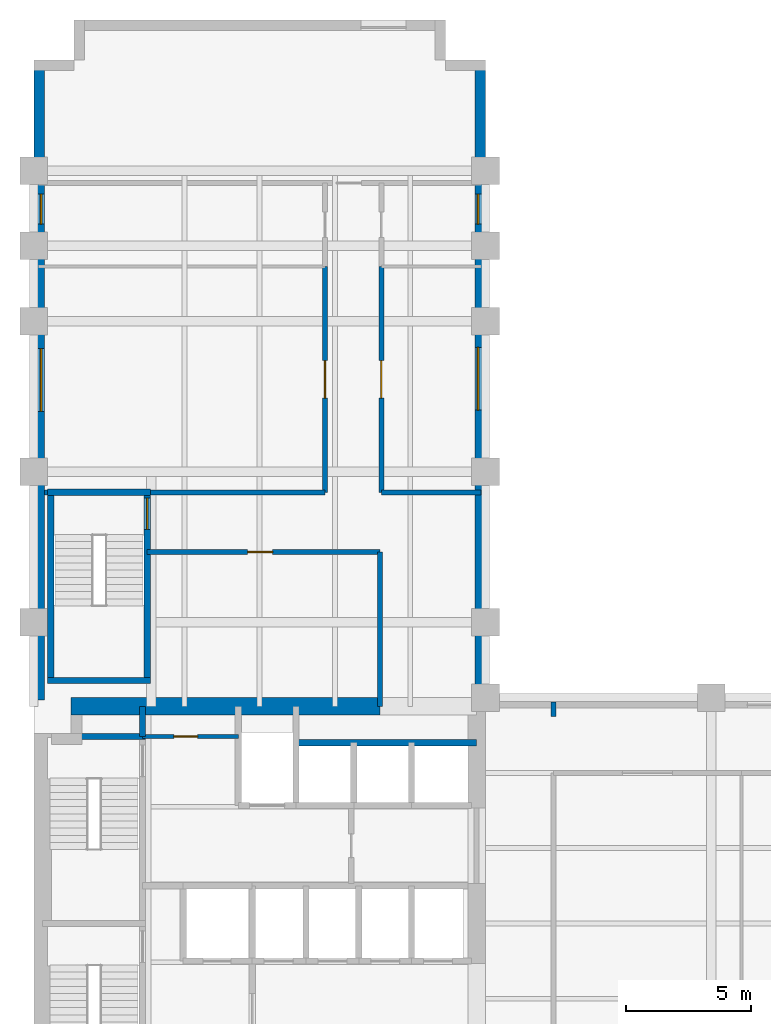
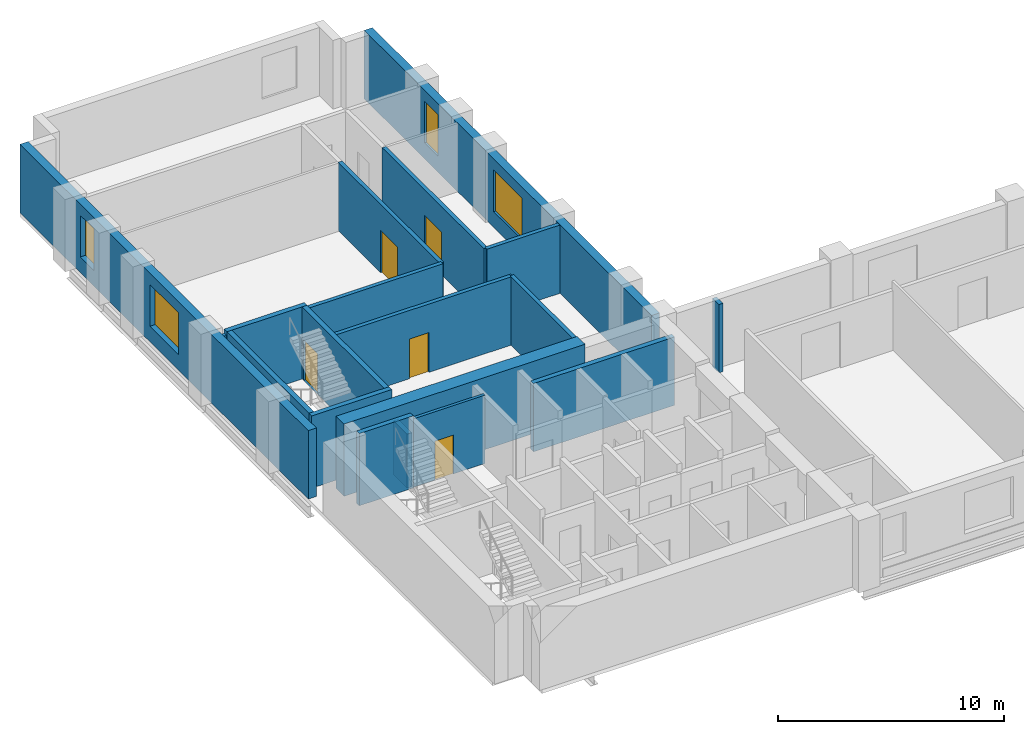
# One storey, part 4 of 7: 19 walls, 5 doors, 4 windows, 9 openings.
"""IFC4 building model written with IfcOpenShell, lengths in metres."""

from ifc_helpers import new_model, si_unit, direction, frame, frame_2d, origin, place, context, subcontext, project, spatial, rectangle, extrude, material, layer, layer_set, type_object, element, fill, save


model = new_model("IFC4")

# Units and contexts
model_context = context("Model", 3, precision=1e-05, world=origin(), true_north=direction((0.0, 1.0)))
body_context = subcontext(model_context, "Body", "Model", "MODEL_VIEW")
ifc_project = project(units=[si_unit("LENGTHUNIT", "METRE"), si_unit("AREAUNIT", "SQUARE_METRE"), si_unit("VOLUMEUNIT", "CUBIC_METRE"), si_unit("PLANEANGLEUNIT", "RADIAN"), si_unit("MASSUNIT", "GRAM", prefix="KILO")], contexts=[model_context])

# Site, building, storey
site_placement = place(None, origin())
site = spatial("IfcSite", under=ifc_project, at=site_placement, CompositionType="ELEMENT")
building_placement = place(site_placement, origin())
building = spatial("IfcBuilding", under=site, at=building_placement, Name="Mawjdan Bourse Tower", CompositionType="ELEMENT")
storey_placement = place(building_placement, frame((0.0, 0.0, 105.0)))
storey = spatial("IfcBuildingStorey", under=building, at=storey_placement, Name="L24", CompositionType="ELEMENT", Elevation=105.0)

# Wall, openings, windows
ifc_material_1 = material(Name="Brick Masonry Buff", Category="masonry")
ifc_layer_1 = layer(ifc_material_1, 0.419921875)
ifc_layer_set_1 = layer_set([ifc_layer_1], Name="Brick Masonry Buff")
wall_type_1 = type_object("IfcWallType", Name="WL-BRK-BUFF-420", PredefinedType="STANDARD", material=ifc_layer_set_1)
wall_1_placement = place(storey_placement, frame((23.7900390625, 21.0, 0.0), z_axis=(0.0, 0.0, 1.0), x_axis=(0.0, 1.0, 0.0)))
wall_1 = element("IfcWall", 1, at=wall_1_placement, inside=storey, type_object=wall_type_1, Name="L24 Exterior Brick Wall 8", PredefinedType="STANDARD", context=body_context, shape_type="SweptSolid", body=[
    extrude(rectangle(XDim=25.39990234375, YDim=0.419921875, at=frame_2d((12.699951171875, 0.0))), origin(), (0.0, 0.0, 1.0), 3.699951171875),
])
opening_1_placement = place(wall_1_placement, frame((11.449951171875, 0.0, 0.85009765625)))
opening_1 = element("IfcOpeningElement", 2, at=opening_1_placement, cuts=wall_1, Name="Opening W-L24-06", PredefinedType="OPENING", context=body_context, shape_type="SweptSolid", body=[
    extrude(rectangle(XDim=2.5, YDim=2.25, at=frame_2d((1.25, 1.125))), frame((0.0, 0.219970703125, 0.0), z_axis=(0.0, -1.0, 0.0), x_axis=(1.0, 0.0, 0.0)), (0.0, 0.0, 1.0), 0.43994140625),
])
opening_2_placement = place(wall_1_placement, frame((18.8662109375, 0.0, 0.85009765625)))
opening_2 = element("IfcOpeningElement", 3, at=opening_2_placement, cuts=wall_1, Name="Opening W-L24-14", PredefinedType="OPENING", context=body_context, shape_type="SweptSolid", body=[
    extrude(rectangle(XDim=1.199951171875, YDim=2.25, at=frame_2d((0.60009765625, 1.125))), frame((0.0, 0.219970703125, 0.0), z_axis=(0.0, -1.0, 0.0), x_axis=(1.0, 0.0, 0.0)), (0.0, 0.0, 1.0), 0.43994140625),
])
ifc_material_2 = material(Name="Solar-Control Clear Double Glazing", Category="glass")
window_type_1 = type_object("IfcWindowType", Name="WN-Z2-1200", PartitioningType="SINGLE_PANEL", PredefinedType="WINDOW", material=ifc_material_2)
window_1_placement = place(opening_2_placement, origin())
window_1 = element("IfcWindow", 4, at=window_1_placement, inside=storey, type_object=window_type_1, Name="L24 Deep-Set Masonry Window W-L24-14", OverallHeight=2.25, OverallWidth=1.199951171875, PartitioningType="SINGLE_PANEL", PredefinedType="WINDOW", context=body_context, shape_type="SweptSolid", body=[
    extrude(rectangle(XDim=1.199951171875, YDim=2.25, at=frame_2d((0.60009765625, 1.125))), frame((0.0, 0.110107421875, 0.0), z_axis=(0.0, -1.0, 0.0), x_axis=(1.0, 0.0, 0.0)), (0.0, 0.0, 1.0), 0.06005859375),
])
fill(opening_2, window_1)
window_type_2 = type_object("IfcWindowType", Name="WN-Z2-2500", PartitioningType="SINGLE_PANEL", PredefinedType="WINDOW", material=ifc_material_2)
window_2_placement = place(opening_1_placement, origin())
window_2 = element("IfcWindow", 5, at=window_2_placement, inside=storey, type_object=window_type_2, Name="L24 Deep-Set Masonry Window W-L24-06", OverallHeight=2.25, OverallWidth=2.5, PartitioningType="SINGLE_PANEL", PredefinedType="WINDOW", context=body_context, shape_type="SweptSolid", body=[
    extrude(rectangle(XDim=2.5, YDim=2.25, at=frame_2d((1.25, 1.125))), frame((0.0, 0.110107421875, 0.0), z_axis=(0.0, -1.0, 0.0), x_axis=(1.0, 0.0, 0.0)), (0.0, 0.0, 1.0), 0.06005859375),
])
fill(opening_1, window_2)

wall_2_placement = place(storey_placement, frame((6.2099609375, 46.39990234375, 0.0), z_axis=(0.0, 0.0, 1.0), x_axis=(0.0, -1.0, 0.0)))
wall_2 = element("IfcWall", 6, at=wall_2_placement, inside=storey, type_object=wall_type_1, Name="L24 Exterior Brick Wall 14", PredefinedType="STANDARD", context=body_context, shape_type="SweptSolid", body=[
    extrude(rectangle(XDim=25.5, YDim=0.419921875, at=frame_2d((12.75, 0.0))), origin(), (0.0, 0.0, 1.0), 3.699951171875),
])
opening_3_placement = place(wall_2_placement, frame((11.5, 0.0, 0.85009765625)))
opening_3 = element("IfcOpeningElement", 7, at=opening_3_placement, cuts=wall_2, Name="Opening W-L24-08", PredefinedType="OPENING", context=body_context, shape_type="SweptSolid", body=[
    extrude(rectangle(XDim=2.5, YDim=2.25, at=frame_2d((1.25, 1.125))), frame((0.0, 0.219970703125, 0.0), z_axis=(0.0, -1.0, 0.0), x_axis=(1.0, 0.0, 0.0)), (0.0, 0.0, 1.0), 0.43994140625),
])
opening_4_placement = place(wall_2_placement, frame((5.336181640625, 0.0, 0.85009765625)))
opening_4 = element("IfcOpeningElement", 8, at=opening_4_placement, cuts=wall_2, Name="Opening W-L24-13", PredefinedType="OPENING", context=body_context, shape_type="SweptSolid", body=[
    extrude(rectangle(XDim=1.199951171875, YDim=2.25, at=frame_2d((0.60009765625, 1.125))), frame((0.0, 0.219970703125, 0.0), z_axis=(0.0, -1.0, 0.0), x_axis=(1.0, 0.0, 0.0)), (0.0, 0.0, 1.0), 0.43994140625),
])
window_3_placement = place(opening_4_placement, origin())
window_3 = element("IfcWindow", 9, at=window_3_placement, inside=storey, type_object=window_type_1, Name="L24 Deep-Set Masonry Window W-L24-13", OverallHeight=2.25, OverallWidth=1.199951171875, PartitioningType="SINGLE_PANEL", PredefinedType="WINDOW", context=body_context, shape_type="SweptSolid", body=[
    extrude(rectangle(XDim=1.199951171875, YDim=2.25, at=frame_2d((0.60009765625, 1.125))), frame((0.0, 0.110107421875, 0.0), z_axis=(0.0, -1.0, 0.0), x_axis=(1.0, 0.0, 0.0)), (0.0, 0.0, 1.0), 0.06005859375),
])
fill(opening_4, window_3)
window_4_placement = place(opening_3_placement, origin())
window_4 = element("IfcWindow", 10, at=window_4_placement, inside=storey, type_object=window_type_2, Name="L24 Deep-Set Masonry Window W-L24-08", OverallHeight=2.25, OverallWidth=2.5, PartitioningType="SINGLE_PANEL", PredefinedType="WINDOW", context=body_context, shape_type="SweptSolid", body=[
    extrude(rectangle(XDim=2.5, YDim=2.25, at=frame_2d((1.25, 1.125))), frame((0.0, 0.110107421875, 0.0), z_axis=(0.0, -1.0, 0.0), x_axis=(1.0, 0.0, 0.0)), (0.0, 0.0, 1.0), 0.06005859375),
])
fill(opening_3, window_4)

# Wall
ifc_material_3 = material(Name="Gypsum Fireboard Assembly")
ifc_layer_2 = layer(ifc_material_3, 0.199951171875)
ifc_layer_set_2 = layer_set([ifc_layer_2], Name="Gypsum Fireboard Assembly")
wall_type_2 = type_object("IfcWallType", Name="WL-CMP-200", PredefinedType="PARTITIONING", material=ifc_layer_set_2)
wall_3_placement = place(storey_placement, frame((26.699951171875, 20.25, 0.0), z_axis=(0.0, 0.0, 1.0), x_axis=(0.0, 1.0, 0.0)))
element("IfcWall", 11, at=wall_3_placement, inside=storey, type_object=wall_type_2, Name="L24 Vestibule North East Wall", PredefinedType="PARTITIONING", context=body_context, shape_type="SweptSolid", body=[
    extrude(rectangle(XDim=0.570068359375, YDim=0.199951171875, at=frame_2d((0.28515625, 0.0))), origin(), (0.0, 0.0, 1.0), 3.68994140625),
])

# Wall, opening, door
wall_4_placement = place(storey_placement, frame((10.52001953125, 26.800048828125, 0.0), z_axis=(0.0, 0.0, 1.0), x_axis=(1.0, 0.0, 0.0)))
wall_4 = element("IfcWall", 12, at=wall_4_placement, inside=storey, type_object=wall_type_2, Name="L24 North Throat North Wall", PredefinedType="PARTITIONING", context=body_context, shape_type="SweptSolid", body=[
    extrude(rectangle(XDim=9.280029296875, YDim=0.199951171875, at=frame_2d((4.64013671875, 0.0))), origin(), (0.0, 0.0, 1.0), 3.68994140625),
])
opening_5_placement = place(wall_4_placement, frame((4.0, 0.0, 0.0)))
opening_5 = element("IfcOpeningElement", 13, at=opening_5_placement, cuts=wall_4, Name="Opening D-L24-26", PredefinedType="OPENING", context=body_context, shape_type="SweptSolid", body=[
    extrude(rectangle(XDim=1.0, YDim=2.14990234375, at=frame_2d((0.5, 1.074951171875))), frame((0.0, 0.10986328125, 0.0), z_axis=(0.0, -1.0, 0.0), x_axis=(1.0, 0.0, 0.0)), (0.0, 0.0, 1.0), 0.219970703125),
])
ifc_material_4 = material(Name="Hardwood Acoustic Leaf", Category="wood")
door_type_1 = type_object("IfcDoorType", Name="DR-OFC-1000", OperationType="NOTDEFINED", PredefinedType="DOOR", material=ifc_material_4)
door_1_placement = place(opening_5_placement, origin())
door_1 = element("IfcDoor", 14, at=door_1_placement, inside=storey, type_object=door_type_1, Name="L24 North Throat Suite Door D-L24-26", OperationType="SINGLE_SWING_LEFT", OverallHeight=2.14990234375, OverallWidth=1.0, PredefinedType="DOOR", context=body_context, shape_type="SweptSolid", body=[
    extrude(rectangle(XDim=1.0, YDim=2.14990234375, at=frame_2d((0.5, 1.074951171875))), frame((0.0, 0.02490234375, 0.0), z_axis=(0.0, -1.0, 0.0), x_axis=(1.0, 0.0, 0.0)), (0.0, 0.0, 1.0), 0.050048828125),
])
fill(opening_5, door_1)

# Walls
wall_5_placement = place(storey_placement, frame((19.800048828125, 20.64990234375, 0.0), z_axis=(0.0, 0.0, 1.0), x_axis=(0.0, 1.0, 0.0)))
element("IfcWall", 15, at=wall_5_placement, inside=storey, type_object=wall_type_2, Name="L24 North Throat East Wall", PredefinedType="PARTITIONING", context=body_context, shape_type="SweptSolid", body=[
    extrude(rectangle(XDim=6.150146484375, YDim=0.199951171875, at=frame_2d((3.0751953125, 0.0))), origin(), (0.0, 0.0, 1.0), 3.68994140625),
])
wall_6_placement = place(storey_placement, frame((6.419921875, 29.179931640625, 0.0), z_axis=(0.0, 0.0, 1.0), x_axis=(1.0, 0.0, 0.0)))
element("IfcWall", 16, at=wall_6_placement, inside=storey, type_object=wall_type_2, Name="L24 North West Band ST3 West Return", PredefinedType="PARTITIONING", context=body_context, shape_type="SweptSolid", body=[
    extrude(rectangle(XDim=0.135009765625, YDim=0.199951171875, at=frame_2d((0.0673828125, 0.0))), origin(), (0.0, 0.0, 1.0), 3.68994140625),
])
wall_7_placement = place(storey_placement, frame((10.6298828125, 29.179931640625, 0.0), z_axis=(0.0, 0.0, 1.0), x_axis=(1.0, 0.0, 0.0)))
element("IfcWall", 17, at=wall_7_placement, inside=storey, type_object=wall_type_2, Name="L24 North West Band South Wall", PredefinedType="PARTITIONING", context=body_context, shape_type="SweptSolid", body=[
    extrude(rectangle(XDim=6.97021484375, YDim=0.199951171875, at=frame_2d((3.485107421875, 0.0))), origin(), (0.0, 0.0, 1.0), 3.68994140625),
])
wall_8_placement = place(storey_placement, frame((19.85009765625, 29.179931640625, 0.0), z_axis=(0.0, 0.0, 1.0), x_axis=(1.0, 0.0, 0.0)))
element("IfcWall", 18, at=wall_8_placement, inside=storey, type_object=wall_type_2, Name="L24 North East Band South Wall", PredefinedType="PARTITIONING", context=body_context, shape_type="SweptSolid", body=[
    extrude(rectangle(XDim=3.969970703125, YDim=0.199951171875, at=frame_2d((1.98486328125, 0.0))), origin(), (0.0, 0.0, 1.0), 3.68994140625),
])

# Wall, opening, door
wall_9_placement = place(storey_placement, frame((17.60009765625, 29.179931640625, 0.0), z_axis=(0.0, 0.0, 1.0), x_axis=(0.0, 1.0, 0.0)))
wall_9 = element("IfcWall", 19, at=wall_9_placement, inside=storey, type_object=wall_type_2, Name="L24 Conference Room Corridor Wall", PredefinedType="PARTITIONING", context=body_context, shape_type="SweptSolid", body=[
    extrude(rectangle(XDim=9.0, YDim=0.199951171875, at=frame_2d((4.5, 0.0))), origin(), (0.0, 0.0, 1.0), 3.68994140625),
])
opening_6_placement = place(wall_9_placement, frame((3.75, 0.0, 0.0)))
opening_6 = element("IfcOpeningElement", 20, at=opening_6_placement, cuts=wall_9, Name="Opening D-L24-27", PredefinedType="OPENING", context=body_context, shape_type="SweptSolid", body=[
    extrude(rectangle(XDim=1.5, YDim=2.300048828125, at=frame_2d((0.75, 1.14990234375))), frame((0.0, 0.10986328125, 0.0), z_axis=(0.0, -1.0, 0.0), x_axis=(1.0, 0.0, 0.0)), (0.0, 0.0, 1.0), 0.219970703125),
])
ifc_material_5 = material(Name="Acoustic Glazed Timber", Category="wood")
door_type_2 = type_object("IfcDoorType", Name="DR-CNF-1500", OperationType="DOUBLE_DOOR_SINGLE_SWING", PredefinedType="DOOR", material=ifc_material_5)
door_2_placement = place(opening_6_placement, origin())
door_2 = element("IfcDoor", 21, at=door_2_placement, inside=storey, type_object=door_type_2, Name="L24 Conference Room Door D-L24-27", OperationType="DOUBLE_DOOR_SINGLE_SWING", OverallHeight=2.300048828125, OverallWidth=1.5, PredefinedType="DOOR", context=body_context, shape_type="SweptSolid", body=[
    extrude(rectangle(XDim=1.5, YDim=2.300048828125, at=frame_2d((0.75, 1.14990234375))), frame((0.0, 0.02490234375, 0.0), z_axis=(0.0, -1.0, 0.0), x_axis=(1.0, 0.0, 0.0)), (0.0, 0.0, 1.0), 0.050048828125),
])
fill(opening_6, door_2)

wall_10_placement = place(storey_placement, frame((19.85009765625, 29.179931640625, 0.0), z_axis=(0.0, 0.0, 1.0), x_axis=(0.0, 1.0, 0.0)))
wall_10 = element("IfcWall", 22, at=wall_10_placement, inside=storey, type_object=wall_type_2, Name="L24 Private Banking Suite Corridor Wall", PredefinedType="PARTITIONING", context=body_context, shape_type="SweptSolid", body=[
    extrude(rectangle(XDim=9.0, YDim=0.199951171875, at=frame_2d((4.5, 0.0))), origin(), (0.0, 0.0, 1.0), 3.68994140625),
])
opening_7_placement = place(wall_10_placement, frame((3.75, 0.0, 0.0)))
opening_7 = element("IfcOpeningElement", 23, at=opening_7_placement, cuts=wall_10, Name="Opening D-L24-29", PredefinedType="OPENING", context=body_context, shape_type="SweptSolid", body=[
    extrude(rectangle(XDim=1.5, YDim=2.300048828125, at=frame_2d((0.75, 1.14990234375))), frame((0.0, 0.10986328125, 0.0), z_axis=(0.0, -1.0, 0.0), x_axis=(1.0, 0.0, 0.0)), (0.0, 0.0, 1.0), 0.219970703125),
])
door_3_placement = place(opening_7_placement, origin())
door_3 = element("IfcDoor", 24, at=door_3_placement, inside=storey, type_object=door_type_2, Name="L24 Private Banking Suite Door D-L24-29", OperationType="DOUBLE_DOOR_SINGLE_SWING", OverallHeight=2.300048828125, OverallWidth=1.5, PredefinedType="DOOR", context=body_context, shape_type="SweptSolid", body=[
    extrude(rectangle(XDim=1.5, YDim=2.300048828125, at=frame_2d((0.75, 1.14990234375))), frame((0.0, 0.02490234375, 0.0), z_axis=(0.0, -1.0, 0.0), x_axis=(1.0, 0.0, 0.0)), (0.0, 0.0, 1.0), 0.050048828125),
])
fill(opening_7, door_3)

# Wall
ifc_material_6 = material(Name="Concrete C70/85", Category="concrete")
ifc_layer_3 = layer(ifc_material_6, 0.699951171875)
ifc_layer_set_3 = layer_set([ifc_layer_3], Name="Concrete C70/85")
wall_type_3 = type_object("IfcWallType", Name="WL-CORE-700", PredefinedType="SHEAR", material=ifc_layer_set_3)
wall_11_placement = place(storey_placement, frame((7.47509765625, 20.64990234375, 0.0), z_axis=(0.0, 0.0, 1.0), x_axis=(1.0, 0.0, 0.0)))
element("IfcWall", 25, at=wall_11_placement, inside=storey, type_object=wall_type_3, Name="L24 Rear Core Shear Wall N", PredefinedType="SHEAR", context=body_context, shape_type="SweptSolid", body=[
    extrude(rectangle(XDim=12.324951171875, YDim=0.699951171875, at=frame_2d((6.16259765625, 0.0))), origin(), (0.0, 0.0, 1.0), 3.89990234375),
])

# Wall, opening, door
ifc_material_7 = material(Name="Gypsum Acoustic Partition")
ifc_layer_4 = layer(ifc_material_7, 0.14990234375)
ifc_layer_set_4 = layer_set([ifc_layer_4], Name="Gypsum Acoustic Partition")
wall_type_4 = type_object("IfcWallType", Name="WL-PRT-150", PredefinedType="PARTITIONING", material=ifc_layer_set_4)
wall_12_placement = place(storey_placement, frame((10.330078125, 19.449951171875, 0.0), z_axis=(0.0, 0.0, 1.0), x_axis=(1.0, 0.0, 0.0)))
wall_12 = element("IfcWall", 26, at=wall_12_placement, inside=storey, type_object=wall_type_4, Name="L24 Housekeeping South Wall", PredefinedType="PARTITIONING", context=body_context, shape_type="SweptSolid", body=[
    extrude(rectangle(XDim=3.81982421875, YDim=0.14990234375, at=frame_2d((1.909912109375, 0.0))), origin(), (0.0, 0.0, 1.0), 3.68994140625),
])
opening_8_placement = place(wall_12_placement, frame((1.25, 0.0, 0.0)))
opening_8 = element("IfcOpeningElement", 27, at=opening_8_placement, cuts=wall_12, Name="Opening D-L24-18", PredefinedType="OPENING", context=body_context, shape_type="SweptSolid", body=[
    extrude(rectangle(XDim=0.949951171875, YDim=2.10009765625, at=frame_2d((0.47509765625, 1.050048828125))), frame((0.0, 0.0849609375, 0.0), z_axis=(0.0, -1.0, 0.0), x_axis=(1.0, 0.0, 0.0)), (0.0, 0.0, 1.0), 0.169921875),
])
ifc_material_8 = material(Name="Moisture-Resistant Laminate Timber", Category="wood")
door_type_3 = type_object("IfcDoorType", Name="DR-WET-0950", OperationType="NOTDEFINED", PredefinedType="DOOR", material=ifc_material_8)
door_4_placement = place(opening_8_placement, origin())
door_4 = element("IfcDoor", 28, at=door_4_placement, inside=storey, type_object=door_type_3, Name="L24 Housekeeping Closet Door D-L24-18", OperationType="SINGLE_SWING_LEFT", OverallHeight=2.10009765625, OverallWidth=0.949951171875, PredefinedType="DOOR", context=body_context, shape_type="SweptSolid", body=[
    extrude(rectangle(XDim=0.949951171875, YDim=2.10009765625, at=frame_2d((0.47509765625, 1.050048828125))), frame((0.0, 0.02490234375, 0.0), z_axis=(0.0, -1.0, 0.0), x_axis=(1.0, 0.0, 0.0)), (0.0, 0.0, 1.0), 0.050048828125),
])
fill(opening_8, door_4)

# Walls
ifc_material_9 = material(Name="Concrete C50/60", Category="concrete")
ifc_layer_5 = layer(ifc_material_9, 0.25)
ifc_layer_set_5 = layer_set([ifc_layer_5], Name="Concrete C50/60")
wall_type_5 = type_object("IfcWallType", Name="WL-SHFT-250", PredefinedType="PARTITIONING", material=ifc_layer_set_5)
wall_13_placement = place(storey_placement, frame((10.330078125, 19.449951171875, 0.0), z_axis=(0.0, 0.0, 1.0), x_axis=(0.0, 1.0, 0.0)))
element("IfcWall", 29, at=wall_13_placement, inside=storey, type_object=wall_type_5, Name="L24 NW Riser East Wall", PredefinedType="PARTITIONING", context=body_context, shape_type="SweptSolid", body=[
    extrude(rectangle(XDim=1.199951171875, YDim=0.25, at=frame_2d((0.60009765625, 0.0))), origin(), (0.0, 0.0, 1.0), 2.9169921875),
])
wall_14_placement = place(storey_placement, frame((16.449951171875, 19.199951171875, 0.0), z_axis=(0.0, 0.0, 1.0), x_axis=(1.0, 0.0, 0.0)))
element("IfcWall", 30, at=wall_14_placement, inside=storey, type_object=wall_type_5, Name="L24 PH Bank North Shaft Back Wall", PredefinedType="PARTITIONING", context=body_context, shape_type="SweptSolid", body=[
    extrude(rectangle(XDim=7.199951171875, YDim=0.25, at=frame_2d((3.60009765625, 0.0))), origin(), (0.0, 0.0, 1.0), 3.68994140625),
])
ifc_layer_6 = layer(ifc_material_9, 0.25)
ifc_layer_set_6 = layer_set([ifc_layer_6], Name="Concrete C50/60")
wall_type_6 = type_object("IfcWallType", Name="WL-STRW-250", PredefinedType="SHEAR", material=ifc_layer_set_6)
wall_15_placement = place(storey_placement, frame((7.699951171875, 19.449951171875, 0.0), z_axis=(0.0, 0.0, 1.0), x_axis=(1.0, 0.0, 0.0)))
element("IfcWall", 31, at=wall_15_placement, inside=storey, type_object=wall_type_6, Name="L24 Stairwell ST2 North Shaft Wall", PredefinedType="SHEAR", context=body_context, shape_type="SweptSolid", body=[
    extrude(rectangle(XDim=2.755126953125, YDim=0.25, at=frame_2d((1.37744140625, 0.0))), origin(), (0.0, 0.0, 1.0), 3.89990234375),
])
for number, where, z_axis, x_axis, name in (
    (32, (6.554931640625, 21.679931640625, 0.0), (0.0, 0.0, 1.0), (1.0, 0.0, 0.0), "L24 ST3 South Shaft Wall"),
    (33, (6.554931640625, 29.179931640625, 0.0), (0.0, 0.0, 1.0), (1.0, 0.0, 0.0), "L24 ST3 North Shaft Wall"),
):
    element("IfcWall", number, at=place(storey_placement, frame(where, z_axis=z_axis, x_axis=x_axis)), inside=storey, type_object=wall_type_6, Name=name, PredefinedType="SHEAR", context=body_context, shape_type="SweptSolid", body=[
        extrude(rectangle(XDim=4.090087890625, YDim=0.25, at=frame_2d((2.044921875, 0.0))), origin(), (0.0, 0.0, 1.0), 3.89990234375),
    ])
wall_16_placement = place(storey_placement, frame((6.679931640625, 21.679931640625, 0.0), z_axis=(0.0, 0.0, 1.0), x_axis=(0.0, 1.0, 0.0)))
element("IfcWall", 34, at=wall_16_placement, inside=storey, type_object=wall_type_6, Name="L24 ST3 West Shaft Wall", PredefinedType="SHEAR", context=body_context, shape_type="SweptSolid", body=[
    extrude(rectangle(XDim=7.5, YDim=0.25, at=frame_2d((3.75, 0.0))), origin(), (0.0, 0.0, 1.0), 3.89990234375),
])

# Wall, opening, door
wall_17_placement = place(storey_placement, frame((10.52001953125, 21.679931640625, 0.0), z_axis=(0.0, 0.0, 1.0), x_axis=(0.0, 1.0, 0.0)))
wall_17 = element("IfcWall", 35, at=wall_17_placement, inside=storey, type_object=wall_type_6, Name="L24 ST3 East Shaft Wall", PredefinedType="SHEAR", context=body_context, shape_type="SweptSolid", body=[
    extrude(rectangle(XDim=7.5, YDim=0.25, at=frame_2d((3.75, 0.0))), origin(), (0.0, 0.0, 1.0), 3.89990234375),
])
opening_9_placement = place(wall_17_placement, frame((6.02001953125, 0.0, 0.0)))
opening_9 = element("IfcOpeningElement", 36, at=opening_9_placement, cuts=wall_17, Name="Opening SD-L24-19", PredefinedType="OPENING", context=body_context, shape_type="SweptSolid", body=[
    extrude(rectangle(XDim=1.25, YDim=2.199951171875, at=frame_2d((0.625, 1.10009765625))), frame((0.0, 0.135009765625, 0.0), z_axis=(0.0, -1.0, 0.0), x_axis=(1.0, 0.0, 0.0)), (0.0, 0.0, 1.0), 0.27001953125),
])
ifc_material_10 = material(Name="Fire-Rated Steel Leaf", Category="steel")
door_type_4 = type_object("IfcDoorType", Name="FD-ST-1250", OperationType="NOTDEFINED", PredefinedType="DOOR", material=ifc_material_10)
door_5_placement = place(opening_9_placement, origin())
door_5 = element("IfcDoor", 37, at=door_5_placement, inside=storey, type_object=door_type_4, Name="L24 Stair ST3 Fire Door SD-L24-19", OperationType="SINGLE_SWING_RIGHT", OverallHeight=2.199951171875, OverallWidth=1.25, PredefinedType="DOOR", context=body_context, shape_type="SweptSolid", body=[
    extrude(rectangle(XDim=1.25, YDim=2.199951171875, at=frame_2d((0.625, 1.10009765625))), frame((0.0, 0.02490234375, 0.0), z_axis=(0.0, -1.0, 0.0), x_axis=(1.0, 0.0, 0.0)), (0.0, 0.0, 1.0), 0.050048828125),
])
fill(opening_9, door_5)

save(model, "model.ifc")
